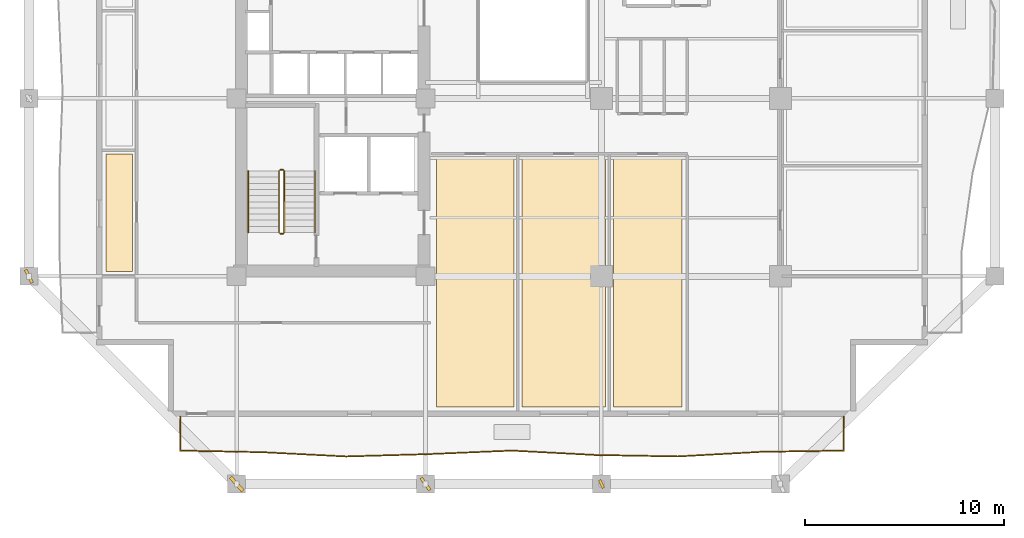
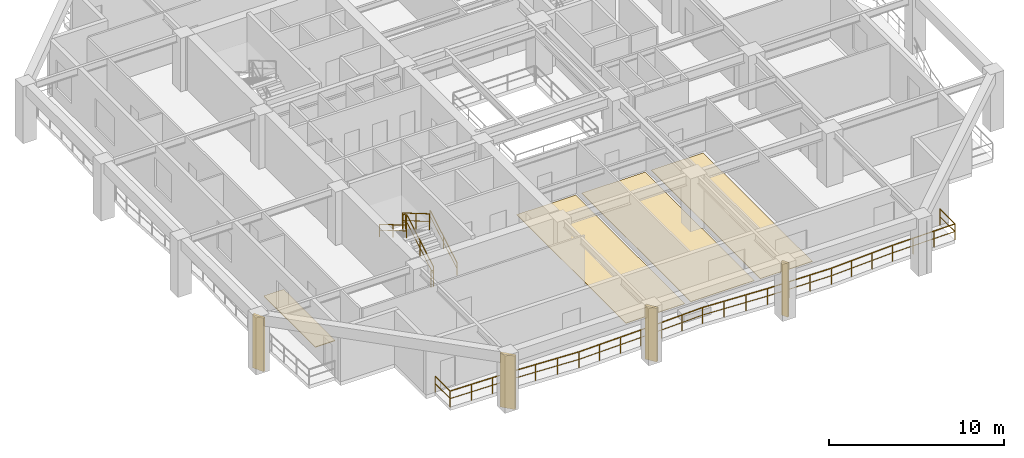
# One storey, part 7 of 11: 7 railings, 4 coverings, 4 shading devices.
"""IFC4 building model written with IfcOpenShell, lengths in metres."""

from ifc_helpers import new_model, si_unit, direction, frame, origin, origin_2d, place, context, subcontext, project, spatial, polyline, rectangle, outline, extrude, material, layer, layer_set, type_object, element, save


model = new_model("IFC4")

# Units and contexts
model_context = context("Model", 3, precision=1e-05, world=origin(), true_north=direction((0.0, 1.0)))
body_context = subcontext(model_context, "Body", "Model", "MODEL_VIEW")
ifc_project = project(units=[si_unit("LENGTHUNIT", "METRE"), si_unit("AREAUNIT", "SQUARE_METRE"), si_unit("VOLUMEUNIT", "CUBIC_METRE"), si_unit("PLANEANGLEUNIT", "RADIAN"), si_unit("MASSUNIT", "GRAM", prefix="KILO")], contexts=[model_context])

# Site, building, storey
site_placement = place(None, origin())
site = spatial("IfcSite", under=ifc_project, at=site_placement, CompositionType="ELEMENT")
building_placement = place(site_placement, origin())
building = spatial("IfcBuilding", under=site, at=building_placement, Name="Kundavana Baori Tower", CompositionType="ELEMENT")
storey_placement = place(building_placement, frame((0.0, 0.0, 86.0)))
storey = spatial("IfcBuildingStorey", under=building, at=storey_placement, Name="L20", CompositionType="ELEMENT", Elevation=86.0)

# Coverings
ifc_material_1 = material(Name="Honed Kota Stone and Terrazzo Flooring", Category="masonry")
ifc_layer_1 = layer(ifc_material_1, 0.0400390625, Name="COV-FLR-TERR-40")
ifc_layer_set_1 = layer_set([ifc_layer_1], Name="Honed Kota Stone and Terrazzo Flooring")
covering_type_1 = type_object("IfcCoveringType", Name="COV-FLR-TERR-40", PredefinedType="FLOORING", material=ifc_layer_set_1)
covering_1_placement = place(storey_placement, origin())
element("IfcCovering", 1, at=covering_1_placement, inside=storey, type_object=covering_type_1, Name="L20 Room Finished Stone Flooring 1", PredefinedType="FLOORING", context=body_context, shape_type="SweptSolid", body=[
    extrude(outline(polyline([(8.8798828125, 15.5), (10.199951171875, 15.5), (10.199951171875, 21.39990234375), (8.8798828125, 21.39990234375), (8.8798828125, 15.5)])), origin(), (0.0, 0.0, 1.0), 0.0400390625),
])
ifc_material_2 = material(Name="Honed Kota Stone and Terrazzo Flooring", Category="masonry")
ifc_layer_2 = layer(ifc_material_2, 0.030029296875, Name="COV-INT-FLR")
ifc_layer_set_2 = layer_set([ifc_layer_2], Name="Honed Kota Stone and Terrazzo Flooring")
covering_type_2 = type_object("IfcCoveringType", Name="COV-INT-FLR", PredefinedType="FLOORING", material=ifc_layer_set_2)
covering_2_placement = place(storey_placement, origin())
element("IfcCovering", 2, at=covering_2_placement, inside=storey, type_object=covering_type_2, Name="L20 Room Finished Stone Flooring 5", PredefinedType="FLOORING", context=body_context, shape_type="SweptSolid", body=[
    extrude(outline(polyline([(25.5, 8.679931640625), (29.39990234375, 8.679931640625), (29.39990234375, 21.199951171875), (25.5, 21.199951171875), (25.5, 8.679931640625)])), origin(), (0.0, 0.0, 1.0), 0.030029296875),
])
covering_3_placement = place(storey_placement, origin())
element("IfcCovering", 3, at=covering_3_placement, inside=storey, type_object=covering_type_2, Name="L20 Room Finished Stone Flooring 6", PredefinedType="FLOORING", context=body_context, shape_type="SweptSolid", body=[
    extrude(outline(polyline([(29.800048828125, 8.679931640625), (34.0, 8.679931640625), (34.0, 21.199951171875), (29.800048828125, 21.199951171875), (29.800048828125, 8.679931640625)])), origin(), (0.0, 0.0, 1.0), 0.030029296875),
])
covering_4_placement = place(storey_placement, origin())
element("IfcCovering", 4, at=covering_4_placement, inside=storey, type_object=covering_type_2, Name="L20 Room Finished Stone Flooring 7", PredefinedType="FLOORING", context=body_context, shape_type="SweptSolid", body=[
    extrude(outline(polyline([(34.39990234375, 8.679931640625), (37.840087890625, 8.679931640625), (37.840087890625, 21.199951171875), (34.39990234375, 21.199951171875), (34.39990234375, 8.679931640625)])), origin(), (0.0, 0.0, 1.0), 0.030029296875),
])

# Railings
ifc_material_3 = material(Name="Architectural Patinated Bronze Metalwork")
railing_type_1 = type_object("IfcRailingType", Name="RL-BAL-1150", PredefinedType="BALUSTRADE", material=ifc_material_3)
railing_1_placement = place(storey_placement, frame((46.0, 8.199951171875, 0.0)))
element("IfcRailing", 5, at=railing_1_placement, inside=storey, type_object=railing_type_1, Name="L20 Loggia Balcony Balustrade S", PredefinedType="BALUSTRADE", context=body_context, shape_type="SweptSolid", body=[
    extrude(rectangle(XDim=0.048095703125, YDim=0.048095703125, at=origin_2d()), frame((0.0, 0.0, 1.1259765625), z_axis=(0.0, -1.0, 0.0), x_axis=(1.0, 0.0, 0.0)), (0.0, 0.0, 1.0), 1.719970703125),
    extrude(rectangle(XDim=0.03125, YDim=0.03125, at=origin_2d()), frame((0.0, 0.0, 0.597900390625), z_axis=(0.0, -1.0, 0.0), x_axis=(1.0, 0.0, 0.0)), (0.0, 0.0, 1.0), 1.719970703125),
    extrude(rectangle(XDim=0.048095703125, YDim=0.048095703125, at=origin_2d()), frame((0.0, -1.719970703125, 1.1259765625), z_axis=(-0.999882658097, -0.015318943712, 0.0), x_axis=(0.015318943712, -0.999882658097, 0.0)), (0.0, 0.0, 1.0), 4.175537109375),
    extrude(rectangle(XDim=0.03125, YDim=0.03125, at=origin_2d()), frame((0.0, -1.719970703125, 0.597900390625), z_axis=(-0.999882658097, -0.015318943712, 0.0), x_axis=(0.015318943712, -0.999882658097, 0.0)), (0.0, 0.0, 1.0), 4.175537109375),
    extrude(rectangle(XDim=0.048095703125, YDim=0.048095703125, at=origin_2d()), frame((-4.175048828125, -1.783935546875, 1.1259765625), z_axis=(-0.998473439883, -0.055233955566, 0.0), x_axis=(0.055233955566, -0.998473439883, 0.0)), (0.0, 0.0, 1.0), 4.181396484375),
    extrude(rectangle(XDim=0.03125, YDim=0.03125, at=origin_2d()), frame((-4.175048828125, -1.783935546875, 0.597900390625), z_axis=(-0.998473439883, -0.055233955566, 0.0), x_axis=(0.055233955566, -0.998473439883, 0.0)), (0.0, 0.0, 1.0), 4.181396484375),
    extrude(rectangle(XDim=0.048095703125, YDim=0.048095703125, at=origin_2d()), frame((-8.35009765625, -2.014892578125, 1.1259765625), z_axis=(-0.999847165786, 0.017482707753, 0.0), x_axis=(-0.017482707753, -0.999847165786, 0.0)), (0.0, 0.0, 1.0), 4.175537109375),
    extrude(rectangle(XDim=0.03125, YDim=0.03125, at=origin_2d()), frame((-8.35009765625, -2.014892578125, 0.597900390625), z_axis=(-0.999847165786, 0.017482707753, 0.0), x_axis=(-0.017482707753, -0.999847165786, 0.0)), (0.0, 0.0, 1.0), 4.175537109375),
    extrude(rectangle(XDim=0.048095703125, YDim=0.048095703125, at=origin_2d()), frame((-12.52490234375, -1.94189453125, 1.1259765625), z_axis=(-0.998602624588, 0.052846931481, 0.0), x_axis=(-0.052846931481, -0.998602624588, 0.0)), (0.0, 0.0, 1.0), 4.180908203125),
    extrude(rectangle(XDim=0.03125, YDim=0.03125, at=origin_2d()), frame((-12.52490234375, -1.94189453125, 0.597900390625), z_axis=(-0.998602624588, 0.052846931481, 0.0), x_axis=(-0.052846931481, -0.998602624588, 0.0)), (0.0, 0.0, 1.0), 4.180908203125),
    extrude(rectangle(XDim=0.048095703125, YDim=0.048095703125, at=origin_2d()), frame((-16.699951171875, -1.720947265625, 1.1259765625), z_axis=(-0.999112396516, -0.042123854622, 0.0), x_axis=(0.042123854622, -0.999112396516, 0.0)), (0.0, 0.0, 1.0), 4.1787109375),
    extrude(rectangle(XDim=0.03125, YDim=0.03125, at=origin_2d()), frame((-16.699951171875, -1.720947265625, 0.597900390625), z_axis=(-0.999112396516, -0.042123854622, 0.0), x_axis=(0.042123854622, -0.999112396516, 0.0)), (0.0, 0.0, 1.0), 4.1787109375),
    extrude(rectangle(XDim=0.048095703125, YDim=0.048095703125, at=origin_2d()), frame((-20.875, -1.89697265625, 1.1259765625), z_axis=(-0.999588071763, -0.028699944052, 0.0), x_axis=(0.028699944052, -0.999588071763, 0.0)), (0.0, 0.0, 1.0), 4.1767578125),
    extrude(rectangle(XDim=0.03125, YDim=0.03125, at=origin_2d()), frame((-20.875, -1.89697265625, 0.597900390625), z_axis=(-0.999588071763, -0.028699944052, 0.0), x_axis=(0.028699944052, -0.999588071763, 0.0)), (0.0, 0.0, 1.0), 4.1767578125),
    extrude(rectangle(XDim=0.048095703125, YDim=0.048095703125, at=origin_2d()), frame((-25.050048828125, -2.016845703125, 1.1259765625), z_axis=(-0.998690572267, 0.051157999024, 0.0), x_axis=(-0.051157999024, -0.998690572267, 0.0)), (0.0, 0.0, 1.0), 4.180419921875),
    extrude(rectangle(XDim=0.03125, YDim=0.03125, at=origin_2d()), frame((-25.050048828125, -2.016845703125, 0.597900390625), z_axis=(-0.998690572267, 0.051157999024, 0.0), x_axis=(-0.051157999024, -0.998690572267, 0.0)), (0.0, 0.0, 1.0), 4.180419921875),
    extrude(rectangle(XDim=0.048095703125, YDim=0.048095703125, at=origin_2d()), frame((-29.22509765625, -1.802978515625, 1.1259765625), z_axis=(-0.999802390931, 0.019879111866, 0.0), x_axis=(-0.019879111866, -0.999802390931, 0.0)), (0.0, 0.0, 1.0), 4.175537109375),
    extrude(rectangle(XDim=0.03125, YDim=0.03125, at=origin_2d()), frame((-29.22509765625, -1.802978515625, 0.597900390625), z_axis=(-0.999802390931, 0.019879111866, 0.0), x_axis=(-0.019879111866, -0.999802390931, 0.0)), (0.0, 0.0, 1.0), 4.175537109375),
    extrude(rectangle(XDim=0.048095703125, YDim=0.048095703125, at=origin_2d()), frame((-33.39990234375, -1.719970703125, 1.1259765625), z_axis=(0.0, 1.0, 0.0), x_axis=(-1.0, 0.0, 0.0)), (0.0, 0.0, 1.0), 1.719970703125),
    extrude(rectangle(XDim=0.03125, YDim=0.03125, at=origin_2d()), frame((-33.39990234375, -1.719970703125, 0.597900390625), z_axis=(0.0, 1.0, 0.0), x_axis=(-1.0, 0.0, 0.0)), (0.0, 0.0, 1.0), 1.719970703125),
    extrude(rectangle(XDim=0.0419921875, YDim=0.0419921875, at=origin_2d()), origin(), (0.0, 0.0, 1.0), 1.101806640625),
    extrude(rectangle(XDim=0.0419921875, YDim=0.0419921875, at=origin_2d()), frame((0.0, -1.719970703125, 0.0)), (0.0, 0.0, 1.0), 1.101806640625),
    extrude(rectangle(XDim=0.0419921875, YDim=0.0419921875, at=origin_2d()), frame((-1.3916015625, -1.7412109375, 0.0)), (0.0, 0.0, 1.0), 1.101806640625),
    extrude(rectangle(XDim=0.0419921875, YDim=0.0419921875, at=origin_2d()), frame((-2.783447265625, -1.7626953125, 0.0)), (0.0, 0.0, 1.0), 1.101806640625),
    extrude(rectangle(XDim=0.0419921875, YDim=0.0419921875, at=origin_2d()), frame((-4.175048828125, -1.783935546875, 0.0)), (0.0, 0.0, 1.0), 1.101806640625),
    extrude(rectangle(XDim=0.0419921875, YDim=0.0419921875, at=origin_2d()), frame((-5.566650390625, -1.86083984375, 0.0)), (0.0, 0.0, 1.0), 1.101806640625),
    extrude(rectangle(XDim=0.0419921875, YDim=0.0419921875, at=origin_2d()), frame((-6.95849609375, -1.93798828125, 0.0)), (0.0, 0.0, 1.0), 1.101806640625),
    extrude(rectangle(XDim=0.0419921875, YDim=0.0419921875, at=origin_2d()), frame((-8.35009765625, -2.014892578125, 0.0)), (0.0, 0.0, 1.0), 1.101806640625),
    extrude(rectangle(XDim=0.0419921875, YDim=0.0419921875, at=origin_2d()), frame((-9.74169921875, -1.990478515625, 0.0)), (0.0, 0.0, 1.0), 1.101806640625),
    extrude(rectangle(XDim=0.0419921875, YDim=0.0419921875, at=origin_2d()), frame((-11.13330078125, -1.96630859375, 0.0)), (0.0, 0.0, 1.0), 1.101806640625),
    extrude(rectangle(XDim=0.0419921875, YDim=0.0419921875, at=origin_2d()), frame((-12.52490234375, -1.94189453125, 0.0)), (0.0, 0.0, 1.0), 1.101806640625),
    extrude(rectangle(XDim=0.0419921875, YDim=0.0419921875, at=origin_2d()), frame((-13.91650390625, -1.8681640625, 0.0)), (0.0, 0.0, 1.0), 1.101806640625),
    extrude(rectangle(XDim=0.0419921875, YDim=0.0419921875, at=origin_2d()), frame((-15.308349609375, -1.794677734375, 0.0)), (0.0, 0.0, 1.0), 1.101806640625),
    extrude(rectangle(XDim=0.0419921875, YDim=0.0419921875, at=origin_2d()), frame((-16.699951171875, -1.720947265625, 0.0)), (0.0, 0.0, 1.0), 1.101806640625),
    extrude(rectangle(XDim=0.0419921875, YDim=0.0419921875, at=origin_2d()), frame((-18.091552734375, -1.779541015625, 0.0)), (0.0, 0.0, 1.0), 1.101806640625),
    extrude(rectangle(XDim=0.0419921875, YDim=0.0419921875, at=origin_2d()), frame((-19.4833984375, -1.83837890625, 0.0)), (0.0, 0.0, 1.0), 1.101806640625),
    extrude(rectangle(XDim=0.0419921875, YDim=0.0419921875, at=origin_2d()), frame((-20.875, -1.89697265625, 0.0)), (0.0, 0.0, 1.0), 1.101806640625),
    extrude(rectangle(XDim=0.0419921875, YDim=0.0419921875, at=origin_2d()), frame((-22.2666015625, -1.93701171875, 0.0)), (0.0, 0.0, 1.0), 1.101806640625),
    extrude(rectangle(XDim=0.0419921875, YDim=0.0419921875, at=origin_2d()), frame((-23.658447265625, -1.976806640625, 0.0)), (0.0, 0.0, 1.0), 1.101806640625),
    extrude(rectangle(XDim=0.0419921875, YDim=0.0419921875, at=origin_2d()), frame((-25.050048828125, -2.016845703125, 0.0)), (0.0, 0.0, 1.0), 1.101806640625),
    extrude(rectangle(XDim=0.0419921875, YDim=0.0419921875, at=origin_2d()), frame((-26.441650390625, -1.945556640625, 0.0)), (0.0, 0.0, 1.0), 1.101806640625),
    extrude(rectangle(XDim=0.0419921875, YDim=0.0419921875, at=origin_2d()), frame((-27.83349609375, -1.874267578125, 0.0)), (0.0, 0.0, 1.0), 1.101806640625),
    extrude(rectangle(XDim=0.0419921875, YDim=0.0419921875, at=origin_2d()), frame((-29.22509765625, -1.802978515625, 0.0)), (0.0, 0.0, 1.0), 1.101806640625),
    extrude(rectangle(XDim=0.0419921875, YDim=0.0419921875, at=origin_2d()), frame((-30.61669921875, -1.775390625, 0.0)), (0.0, 0.0, 1.0), 1.101806640625),
    extrude(rectangle(XDim=0.0419921875, YDim=0.0419921875, at=origin_2d()), frame((-32.00830078125, -1.74755859375, 0.0)), (0.0, 0.0, 1.0), 1.101806640625),
    extrude(rectangle(XDim=0.0419921875, YDim=0.0419921875, at=origin_2d()), frame((-33.39990234375, -1.719970703125, 0.0)), (0.0, 0.0, 1.0), 1.101806640625),
    extrude(rectangle(XDim=0.0419921875, YDim=0.0419921875, at=origin_2d()), frame((-33.39990234375, 0.0, 0.0)), (0.0, 0.0, 1.0), 1.101806640625),
])
ifc_material_4 = material(Name="Architectural Patinated Bronze Metalwork")
railing_type_2 = type_object("IfcRailingType", Name="RL-GRD-1150", PredefinedType="GUARDRAIL", material=ifc_material_4)
railing_2_placement = place(storey_placement, frame((17.840087890625, 17.449951171875, 0.181884765625)))
element("IfcRailing", 6, at=railing_2_placement, inside=storey, type_object=railing_type_2, Name="L20 ST1 stair guard 1", PredefinedType="GUARDRAIL", context=body_context, shape_type="SweptSolid", body=[
    extrude(rectangle(XDim=0.048095703125, YDim=0.048095703125, at=origin_2d()), frame((0.0, 0.0, 1.1259765625), z_axis=(0.0, 0.862598821094, 0.505888598258), x_axis=(-1.0, 0.0, 0.0)), (0.0, 0.0, 1.0), 3.593994140625),
    extrude(rectangle(XDim=0.03125, YDim=0.03125, at=origin_2d()), frame((0.0, 0.0, 0.597900390625), z_axis=(0.0, 0.862598821094, 0.505888598258), x_axis=(-1.0, 0.0, 0.0)), (0.0, 0.0, 1.0), 3.593994140625),
    extrude(rectangle(XDim=0.0419921875, YDim=0.0419921875, at=origin_2d()), origin(), (0.0, 0.0, 1.0), 1.101806640625),
    extrude(rectangle(XDim=0.0419921875, YDim=0.0419921875, at=origin_2d()), frame((0.0, 1.550048828125, 0.9091796875)), (0.0, 0.0, 1.0), 1.101806640625),
    extrude(rectangle(XDim=0.0419921875, YDim=0.0419921875, at=origin_2d()), frame((0.0, 3.10009765625, 1.818115234375)), (0.0, 0.0, 1.0), 1.101806640625),
])
railing_3_placement = place(storey_placement, frame((17.7900390625, 20.60009765625, 2.0)))
element("IfcRailing", 7, at=railing_3_placement, inside=storey, type_object=railing_type_2, Name="L20 ST1 stair guard 2", PredefinedType="GUARDRAIL", context=body_context, shape_type="SweptSolid", body=[
    extrude(rectangle(XDim=0.048095703125, YDim=0.048095703125, at=origin_2d()), frame((0.0, 0.0, 1.1259765625), z_axis=(-1.0, 0.0, 0.0), x_axis=(0.0, -1.0, 0.0)), (0.0, 0.0, 1.0), 0.16015625),
    extrude(rectangle(XDim=0.03125, YDim=0.03125, at=origin_2d()), frame((0.0, 0.0, 0.597900390625), z_axis=(-1.0, 0.0, 0.0), x_axis=(0.0, -1.0, 0.0)), (0.0, 0.0, 1.0), 0.16015625),
    extrude(rectangle(XDim=0.0419921875, YDim=0.0419921875, at=origin_2d()), origin(), (0.0, 0.0, 1.0), 1.101806640625),
    extrude(rectangle(XDim=0.0419921875, YDim=0.0419921875, at=origin_2d()), frame((-0.16015625, 0.0, 0.0)), (0.0, 0.0, 1.0), 1.101806640625),
])
railing_4_placement = place(storey_placement, frame((17.580078125, 20.550048828125, 2.181884765625)))
element("IfcRailing", 8, at=railing_4_placement, inside=storey, type_object=railing_type_2, Name="L20 ST1 stair guard 3", PredefinedType="GUARDRAIL", context=body_context, shape_type="SweptSolid", body=[
    extrude(rectangle(XDim=0.048095703125, YDim=0.048095703125, at=origin_2d()), frame((0.0, 0.0, 1.1259765625), z_axis=(0.0, -0.862598821094, 0.505888598258), x_axis=(1.0, 0.0, 0.0)), (0.0, 0.0, 1.0), 3.593994140625),
    extrude(rectangle(XDim=0.03125, YDim=0.03125, at=origin_2d()), frame((0.0, 0.0, 0.597900390625), z_axis=(0.0, -0.862598821094, 0.505888598258), x_axis=(1.0, 0.0, 0.0)), (0.0, 0.0, 1.0), 3.593994140625),
    extrude(rectangle(XDim=0.0419921875, YDim=0.0419921875, at=origin_2d()), origin(), (0.0, 0.0, 1.0), 1.101806640625),
    extrude(rectangle(XDim=0.0419921875, YDim=0.0419921875, at=origin_2d()), frame((0.0, -1.550048828125, 0.9091796875)), (0.0, 0.0, 1.0), 1.101806640625),
    extrude(rectangle(XDim=0.0419921875, YDim=0.0419921875, at=origin_2d()), frame((0.0, -3.10009765625, 1.818115234375)), (0.0, 0.0, 1.0), 1.101806640625),
])
railing_5_placement = place(storey_placement, frame((17.7900390625, 17.39990234375, 0.0)))
element("IfcRailing", 9, at=railing_5_placement, inside=storey, type_object=railing_type_2, Name="L20 ST1 stair guard 4", PredefinedType="GUARDRAIL", context=body_context, shape_type="SweptSolid", body=[
    extrude(rectangle(XDim=0.048095703125, YDim=0.048095703125, at=origin_2d()), frame((0.0, 0.0, 1.1259765625), z_axis=(-1.0, 0.0, 0.0), x_axis=(0.0, -1.0, 0.0)), (0.0, 0.0, 1.0), 0.16015625),
    extrude(rectangle(XDim=0.03125, YDim=0.03125, at=origin_2d()), frame((0.0, 0.0, 0.597900390625), z_axis=(-1.0, 0.0, 0.0), x_axis=(0.0, -1.0, 0.0)), (0.0, 0.0, 1.0), 0.16015625),
    extrude(rectangle(XDim=0.0419921875, YDim=0.0419921875, at=origin_2d()), origin(), (0.0, 0.0, 1.0), 1.101806640625),
    extrude(rectangle(XDim=0.0419921875, YDim=0.0419921875, at=origin_2d()), frame((-0.16015625, 0.0, 0.0)), (0.0, 0.0, 1.0), 1.101806640625),
])
ifc_material_5 = material(Name="Architectural Patinated Bronze Metalwork")
railing_type_3 = type_object("IfcRailingType", Name="RL-HND-920", PredefinedType="HANDRAIL", material=ifc_material_5)
railing_6_placement = place(storey_placement, frame((19.389892578125, 17.449951171875, 0.181884765625)))
element("IfcRailing", 10, at=railing_6_placement, inside=storey, type_object=railing_type_3, Name="L20 ST1 stair handrail 1", PredefinedType="HANDRAIL", context=body_context, shape_type="SweptSolid", body=[
    extrude(rectangle(XDim=0.048095703125, YDim=0.048095703125, at=origin_2d()), frame((0.0, 0.0, 0.8759765625), z_axis=(0.0, 0.862598821094, 0.505888598258), x_axis=(-1.0, 0.0, 0.0)), (0.0, 0.0, 1.0), 3.593994140625),
    extrude(rectangle(XDim=0.03125, YDim=0.03125, at=origin_2d()), frame((0.0, 0.0, 0.468017578125), z_axis=(0.0, 0.862598821094, 0.505888598258), x_axis=(-1.0, 0.0, 0.0)), (0.0, 0.0, 1.0), 3.593994140625),
    extrude(rectangle(XDim=0.0419921875, YDim=0.0419921875, at=origin_2d()), origin(), (0.0, 0.0, 1.0), 0.851806640625),
    extrude(rectangle(XDim=0.0419921875, YDim=0.0419921875, at=origin_2d()), frame((0.0, 1.550048828125, 0.9091796875)), (0.0, 0.0, 1.0), 0.851806640625),
    extrude(rectangle(XDim=0.0419921875, YDim=0.0419921875, at=origin_2d()), frame((0.0, 3.10009765625, 1.818115234375)), (0.0, 0.0, 1.0), 0.851806640625),
])
railing_7_placement = place(storey_placement, frame((16.030029296875, 20.550048828125, 2.181884765625)))
element("IfcRailing", 11, at=railing_7_placement, inside=storey, type_object=railing_type_3, Name="L20 ST1 stair handrail 2", PredefinedType="HANDRAIL", context=body_context, shape_type="SweptSolid", body=[
    extrude(rectangle(XDim=0.048095703125, YDim=0.048095703125, at=origin_2d()), frame((0.0, 0.0, 0.8759765625), z_axis=(0.0, -0.862598821094, 0.505888598258), x_axis=(1.0, 0.0, 0.0)), (0.0, 0.0, 1.0), 3.593994140625),
    extrude(rectangle(XDim=0.03125, YDim=0.03125, at=origin_2d()), frame((0.0, 0.0, 0.468017578125), z_axis=(0.0, -0.862598821094, 0.505888598258), x_axis=(1.0, 0.0, 0.0)), (0.0, 0.0, 1.0), 3.593994140625),
    extrude(rectangle(XDim=0.0419921875, YDim=0.0419921875, at=origin_2d()), origin(), (0.0, 0.0, 1.0), 0.851806640625),
    extrude(rectangle(XDim=0.0419921875, YDim=0.0419921875, at=origin_2d()), frame((0.0, -1.550048828125, 0.9091796875)), (0.0, 0.0, 1.0), 0.851806640625),
    extrude(rectangle(XDim=0.0419921875, YDim=0.0419921875, at=origin_2d()), frame((0.0, -3.10009765625, 1.818115234375)), (0.0, 0.0, 1.0), 0.851806640625),
])

# Shading devices
ifc_material_6 = material(Name="Red-Buff Dholpur Sandstone Cladding on Concrete C40/50", Category="masonry")
shading_device_type_1 = type_object("IfcShadingDeviceType", Name="SHD-FIN-750", PredefinedType="JALOUSIE", material=ifc_material_6)
for number, where, z_axis, x_axis, name in (
    (12, (24.949951171875, 4.800048828125, 0.0), (0.0, 0.0, 1.0), (0.807784166349, 0.589478363128, 0.0), "L20 Sweeping Dholpur Sandstone Facade Fin 2"),
    (13, (5.0, 15.25, 0.0), (0.0, 0.0, 1.0), (0.893919668171, 0.448227204503, 0.0), "L20 Sweeping Dholpur Sandstone Facade Fin 5"),
):
    element("IfcShadingDevice", number, at=place(storey_placement, frame(where, z_axis=z_axis, x_axis=x_axis)), inside=storey, type_object=shading_device_type_1, Name=name, PredefinedType="JALOUSIE", context=body_context, shape_type="SweptSolid", body=[
        extrude(rectangle(XDim=0.159912109375, YDim=0.75, at=origin_2d()), origin(), (0.0, 0.0, 1.0), 3.739990234375),
    ])
ifc_material_7 = material(Name="Red-Buff Dholpur Sandstone Cladding on Concrete C40/50", Category="masonry")
shading_device_type_2 = type_object("IfcShadingDeviceType", Name="SHD-FIN-920", PredefinedType="JALOUSIE", material=ifc_material_7)
shading_device_1_placement = place(storey_placement, frame((15.449951171875, 4.800048828125, 0.0), z_axis=(0.0, 0.0, 1.0), x_axis=(0.744428093663, 0.667702638429, 0.0)))
element("IfcShadingDevice", 14, at=shading_device_1_placement, inside=storey, type_object=shading_device_type_2, Name="L20 Sweeping Dholpur Sandstone Facade Fin 1", PredefinedType="JALOUSIE", context=body_context, shape_type="SweptSolid", body=[
    extrude(rectangle(XDim=0.179931640625, YDim=0.919921875, at=origin_2d()), origin(), (0.0, 0.0, 1.0), 3.739990234375),
])
ifc_material_8 = material(Name="Architectural Patinated Bronze Metalwork")
shading_device_type_3 = type_object("IfcShadingDeviceType", Name="SHD-LOUV-450", PredefinedType="SHUTTER", material=ifc_material_8)
shading_device_2_placement = place(storey_placement, frame((33.800048828125, 4.800048828125, 0.0), z_axis=(0.0, 0.0, 1.0), x_axis=(0.894466613728, 0.447134741355, 0.0)))
element("IfcShadingDevice", 15, at=shading_device_2_placement, inside=storey, type_object=shading_device_type_3, Name="L20 Sweeping Dholpur Sandstone Facade Fin 3", PredefinedType="SHUTTER", context=body_context, shape_type="SweptSolid", body=[
    extrude(rectangle(XDim=0.139892578125, YDim=0.449951171875, at=origin_2d()), origin(), (0.0, 0.0, 1.0), 3.739990234375),
])

save(model, "model.ifc")
